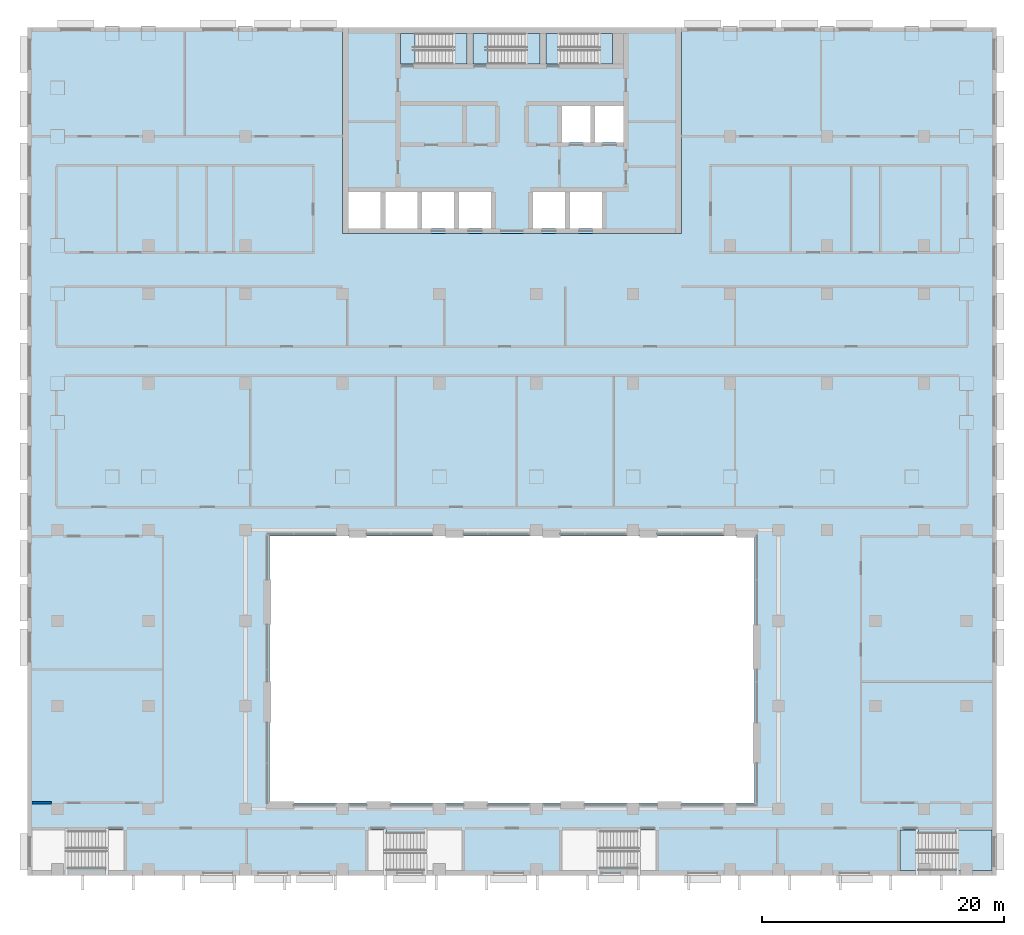
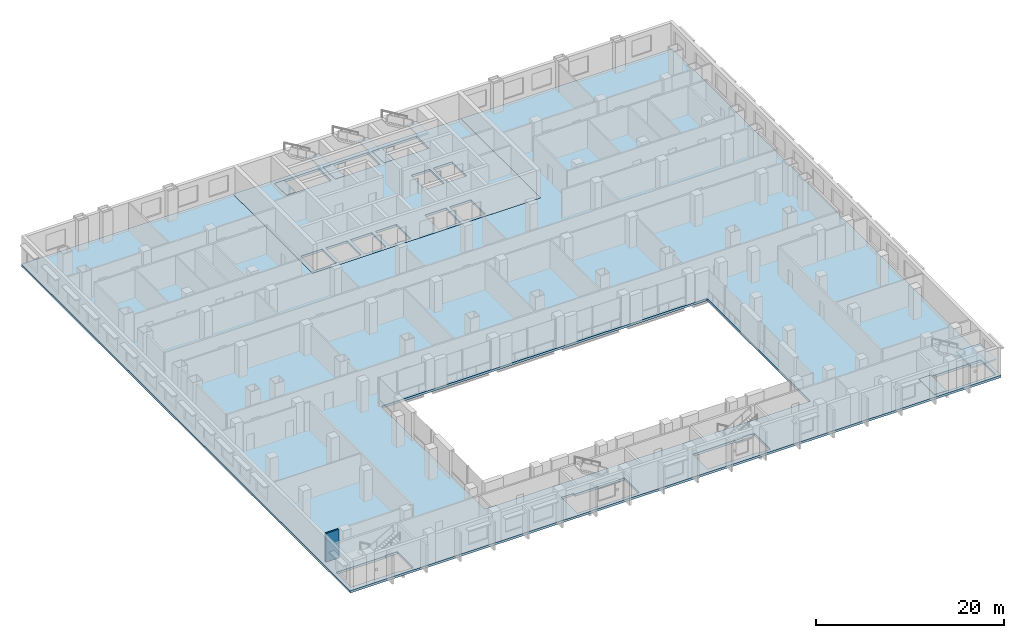
# One storey, part 7 of 25: 10 slabs, 1 wall, 4 elements without a shape of their own.
"""IFC4 building model written with IfcOpenShell, lengths in metres."""

import ifcopenshell
import ifcopenshell.guid

model = None  # the IFC model being written
_history = None  # IfcOwnerHistory: only IFC2X3 demands one
_inside = {}  # id of a spatial element -> (the spatial element, [elements in it])
_under = {}  # id of a project, library or spatial element -> (it, [spatial elements below it])
_declared = {}  # id of a project -> (the project, [libraries it declares])
_typed = {}  # id of a type object -> (the type object, [elements of that type])
_made_of = {}  # id of a material, layer set ... -> (it, [elements and type objects made of it])


def new_model(schema):
    """Start an empty IFC model of exactly this schema.

    Asked for "IFC4X3", IfcOpenShell would pick the latest addendum, in which some entities
    have other attributes; the version numbers below select the first issue.
    IFC2X3 requires an IfcOwnerHistory on every rooted entity: one is made here for all.
    """
    global model, _history
    if schema == "IFC4X3":
        model = ifcopenshell.file(schema_version=(4, 3, 0, 0))
    else:
        model = ifcopenshell.file(schema=schema)
    _inside.clear()
    _under.clear()
    _declared.clear()
    _typed.clear()
    _made_of.clear()
    _history = None
    if model.schema == "IFC2X3":
        org = make("IfcOrganization", Name="unknown")
        user = make(
            "IfcPersonAndOrganization",
            ThePerson=make("IfcPerson", FamilyName="unknown"),
            TheOrganization=org,
        )
        app = make(
            "IfcApplication",
            ApplicationDeveloper=org,
            Version="unknown",
            ApplicationFullName="unknown",
            ApplicationIdentifier="unknown",
        )
        _history = make(
            "IfcOwnerHistory",
            OwningUser=user,
            OwningApplication=app,
            ChangeAction="ADDED",
            CreationDate=0,
        )
    return model


def make(cls, **values):
    """One entity of the class cls with the attributes given. An attribute that is None is left unset."""
    return model.create_entity(
        cls, **{name: value for name, value in values.items() if value is not None}
    )


def rooted(cls, **values):
    """An entity with a GlobalId (a new one), such as an element, a storey or a relation."""
    return make(cls, GlobalId=ifcopenshell.guid.new(), OwnerHistory=_history, **values)


def si_unit(unit_type, name, prefix=None):
    """IfcSIUnit, for example si_unit("LENGTHUNIT", "METRE", prefix="MILLI")."""
    return make("IfcSIUnit", UnitType=unit_type, Prefix=prefix, Name=name)


def assignment(units):
    """IfcUnitAssignment: the units of a project."""
    return None if units is None else make("IfcUnitAssignment", Units=units)


def point(xyz):
    """IfcCartesianPoint."""
    return None if xyz is None else make("IfcCartesianPoint", Coordinates=xyz)


def direction(xyz):
    """IfcDirection."""
    return None if xyz is None else make("IfcDirection", DirectionRatios=xyz)


def frame(location, z_axis=None, x_axis=None):
    """IfcAxis2Placement3D, a coordinate frame: its origin and axes. An axis left out is left unset."""
    return make(
        "IfcAxis2Placement3D",
        Location=point(location),
        Axis=direction(z_axis),
        RefDirection=direction(x_axis),
    )


def frame_2d(location, x_axis=None):
    """IfcAxis2Placement2D, a coordinate frame in the plane: its origin and x axis."""
    return make(
        "IfcAxis2Placement2D", Location=point(location), RefDirection=direction(x_axis)
    )


def origin():
    """The frame at (0, 0, 0) with its axes left unset."""
    return frame((0.0, 0.0, 0.0))


def place(relative_to, where):
    """IfcLocalPlacement: puts the frame where relative to a parent placement (None: the world)."""
    return make(
        "IfcLocalPlacement", PlacementRelTo=relative_to, RelativePlacement=where
    )


def context(
    kind, dimensions, precision=None, world=None, true_north=None, identifier=None
):
    """IfcGeometricRepresentationContext, for example the 3D "Model" context."""
    return make(
        "IfcGeometricRepresentationContext",
        ContextIdentifier=identifier,
        ContextType=kind,
        CoordinateSpaceDimension=dimensions,
        Precision=precision,
        WorldCoordinateSystem=world,
        TrueNorth=true_north,
    )


def subcontext(parent, identifier, kind, view, scale=None):
    """IfcGeometricRepresentationSubContext, for example "Body" below "Model"."""
    return make(
        "IfcGeometricRepresentationSubContext",
        ContextIdentifier=identifier,
        ContextType=kind,
        ParentContext=parent,
        TargetScale=scale,
        TargetView=view,
    )


def project(units=None, contexts=None):
    """IfcProject with its units and contexts."""
    return rooted(
        "IfcProject",
        Name="project",
        RepresentationContexts=contexts,
        UnitsInContext=assignment(units),
    )


def spatial(cls, under=None, at=None, **own):
    """A site, building, storey or space (cls), placed at a placement, below another one or the project."""
    s = rooted(cls, ObjectPlacement=at, **own)
    if under is not None:
        _under.setdefault(under.id(), (under, []))[1].append(s)
    return s


def polyline(points):
    """IfcPolyline through the points."""
    return make("IfcPolyline", Points=[point(p) for p in points])


def profile(cls, at=None, kind="AREA", **sizes):
    """A parametric profile (cls). Its sizes go by their IFC names, for example OverallWidth=200.0."""
    return make(cls, ProfileType=kind, Position=at, **sizes)


def rectangle(**sizes):
    """IfcRectangleProfileDef."""
    return profile("IfcRectangleProfileDef", **sizes)


def outline(outer, holes=None, kind="AREA"):
    """IfcArbitraryClosedProfileDef: a profile drawn as a closed curve; with holes, ...WithVoids."""
    if holes is None:
        return make("IfcArbitraryClosedProfileDef", ProfileType=kind, OuterCurve=outer)
    return make(
        "IfcArbitraryProfileDefWithVoids",
        ProfileType=kind,
        OuterCurve=outer,
        InnerCurves=holes,
    )


def extrude(swept, where, along, depth):
    """IfcExtrudedAreaSolid: the profile swept, set in the frame where, extruded along a direction by depth."""
    return make(
        "IfcExtrudedAreaSolid",
        SweptArea=swept,
        Position=where,
        ExtrudedDirection=direction(along),
        Depth=depth,
    )


def shape(context_of_items, identifier, shape_type, items):
    """IfcShapeRepresentation: the items that make up one representation, for example the "Body"."""
    return make(
        "IfcShapeRepresentation",
        ContextOfItems=context_of_items,
        RepresentationIdentifier=identifier,
        RepresentationType=shape_type,
        Items=items,
    )


def material(Name=None, Category=None):
    """IfcMaterial."""
    return make("IfcMaterial", Name=Name, Category=Category)


def layer(
    of_material, thickness, ventilated=None, Name=None, Category=None, Priority=None
):
    """IfcMaterialLayer: one layer of a wall or slab, of a material (None: an air gap)."""
    return make(
        "IfcMaterialLayer",
        Material=of_material,
        LayerThickness=thickness,
        IsVentilated=ventilated,
        Name=Name,
        Category=Category,
        Priority=Priority,
    )


def layer_set(layers, Name=None):
    """IfcMaterialLayerSet."""
    return make("IfcMaterialLayerSet", MaterialLayers=layers, LayerSetName=Name)


def made_of(thing, what):
    """Note that an element or type object is made of a material, layer set ...; save() writes the relation."""
    if what is not None:
        _made_of.setdefault(what.id(), (what, []))[1].append(thing)
    return thing


def type_object(cls, material=None, **own):
    """A type object (cls), such as IfcWallType, which elements share."""
    return made_of(rooted(cls, **own), material)


def element(
    cls,
    number,
    at=None,
    inside=None,
    cuts=None,
    type_object=None,
    material=None,
    context=None,
    identifier="Body",
    shape_type=None,
    held_by="IfcProductDefinitionShape",
    body=None,
    shapes=None,
    **own,
):
    """One element of the class cls, such as IfcWall. Its Tag is "e" and its number.

    at: its placement. inside: the storey or other place that contains it. cuts: it is an
    opening in that element (IfcRelVoidsElement). A single representation is given by context,
    identifier, shape_type and body (its items); several are given by shapes. held_by: the class
    of the entity that holds the representations. save() writes the other relations.
    """
    e = rooted(cls, Tag="e%d" % number, ObjectPlacement=at, **own)
    if body is not None:
        shapes = [shape(context, identifier, shape_type, body)]
    if shapes is not None:
        e.Representation = make(held_by, Representations=shapes)
    if inside is not None:
        _inside.setdefault(inside.id(), (inside, []))[1].append(e)
    if cuts is not None:
        rooted(
            "IfcRelVoidsElement", RelatingBuildingElement=cuts, RelatedOpeningElement=e
        )
    if type_object is not None:
        _typed.setdefault(type_object.id(), (type_object, []))[1].append(e)
    return made_of(e, material)


def aggregate(whole, parts):
    """IfcRelAggregates: a whole, such as a stair, and the parts it consists of."""
    return rooted("IfcRelAggregates", RelatingObject=whole, RelatedObjects=parts)


def save(model, path):
    """Write the relations noted so far, then the file.

    IfcRelAggregates (storeys below a building ...), IfcRelContainedInSpatialStructure (elements
    in a storey), IfcRelDefinesByType, IfcRelAssociatesMaterial and IfcRelDeclares: one each for
    every whole, place, type object, material and project.
    """
    for whole, parts in _under.values():
        aggregate(whole, parts)
    for where, things in _inside.values():
        rooted(
            "IfcRelContainedInSpatialStructure",
            RelatedElements=things,
            RelatingStructure=where,
        )
    for kind, things in _typed.values():
        rooted("IfcRelDefinesByType", RelatedObjects=things, RelatingType=kind)
    for what, things in _made_of.values():
        rooted("IfcRelAssociatesMaterial", RelatedObjects=things, RelatingMaterial=what)
    for by, libraries in _declared.values():
        rooted("IfcRelDeclares", RelatingContext=by, RelatedDefinitions=libraries)
    model.write(path)


model = new_model("IFC4")

# Units and contexts
model_context = context("Model", 3, precision=1e-05, world=origin(), true_north=direction((0.0, 1.0)))
body_context = subcontext(model_context, "Body", "Model", "MODEL_VIEW")
ifc_project = project(units=[si_unit("LENGTHUNIT", "METRE"), si_unit("AREAUNIT", "SQUARE_METRE"), si_unit("VOLUMEUNIT", "CUBIC_METRE"), si_unit("PLANEANGLEUNIT", "RADIAN"), si_unit("MASSUNIT", "GRAM", prefix="KILO")], contexts=[model_context])

# Site, building, storey
site_placement = place(None, origin())
site = spatial("IfcSite", under=ifc_project, at=site_placement, CompositionType="ELEMENT")
building_placement = place(site_placement, origin())
building = spatial("IfcBuilding", under=site, at=building_placement, Name="Vidyagriha Tower", CompositionType="ELEMENT")
storey_placement = place(building_placement, frame((0.0, 0.0, 10.0)))
storey = spatial("IfcBuildingStorey", under=building, at=storey_placement, Name="L02", CompositionType="ELEMENT", Elevation=10.0)

# Slabs
ifc_material_1 = material(Name="Concrete C60/75", Category="concrete")
ifc_layer_1 = layer(ifc_material_1, 0.300048828125)
ifc_layer_set_1 = layer_set([ifc_layer_1], Name="Concrete C60/75")
slab_type_1 = type_object("IfcSlabType", Name="Core floor slab 300 mm", PredefinedType="FLOOR", material=ifc_layer_set_1)
slab_1_placement = place(storey_placement, frame((0.0, 0.0, -0.300048828125)))
element("IfcSlab", 1, at=slab_1_placement, inside=storey, type_object=slab_type_1, Name="L02 core floor 1", PredefinedType="FLOOR", context=body_context, shape_type="SweptSolid", body=[
    extrude(outline(polyline([(-14.0, 3.0), (-14.0, 20.0), (14.0, 20.0), (14.0, 3.0), (-14.0, 3.0)]), holes=[polyline([(9.199951171875, 13.5), (6.86669921875, 13.5), (6.86669921875, 10.5), (9.199951171875, 10.5), (9.199951171875, 13.5)]), polyline([(4.0, 19.5), (2.800048828125, 19.5), (2.800048828125, 16.949951171875), (4.0, 16.949951171875), (8.300048828125, 16.949951171875), (8.300048828125, 19.5), (4.0, 19.5)]), polyline([(7.4111328125, 6.39990234375), (4.7666015625, 6.39990234375), (4.7666015625, 3.39990234375), (7.4111328125, 3.39990234375), (7.4111328125, 6.39990234375)]), polyline([(6.466796875, 13.5), (4.13330078125, 13.5), (4.13330078125, 10.5), (6.466796875, 10.5), (6.466796875, 13.5)]), polyline([(1.72216796875, 6.39990234375), (1.72216796875, 3.39990234375), (4.36669921875, 3.39990234375), (4.36669921875, 6.39990234375), (1.72216796875, 6.39990234375)]), polyline([(-2.0, 16.949951171875), (2.300048828125, 16.949951171875), (2.300048828125, 19.5), (-2.0, 19.5), (-3.199951171875, 19.5), (-3.199951171875, 16.949951171875), (-2.0, 16.949951171875)]), polyline([(-1.72216796875, 6.39990234375), (-4.36669921875, 6.39990234375), (-4.36669921875, 3.39990234375), (-1.72216796875, 3.39990234375), (-1.72216796875, 6.39990234375)]), polyline([(-8.0, 19.5), (-9.199951171875, 19.5), (-9.199951171875, 16.949951171875), (-8.0, 16.949951171875), (-3.699951171875, 16.949951171875), (-3.699951171875, 19.5), (-8.0, 19.5)]), polyline([(-4.7666015625, 6.39990234375), (-7.4111328125, 6.39990234375), (-7.4111328125, 3.39990234375), (-4.7666015625, 3.39990234375), (-4.7666015625, 6.39990234375)]), polyline([(-7.81103515625, 6.39990234375), (-10.45556640625, 6.39990234375), (-10.45556640625, 3.39990234375), (-7.81103515625, 3.39990234375), (-7.81103515625, 6.39990234375)]), polyline([(-13.5, 6.39990234375), (-13.5, 3.39990234375), (-10.855712890625, 3.39990234375), (-10.855712890625, 6.39990234375), (-13.5, 6.39990234375)])]), origin(), (0.0, 0.0, 1.0), 0.300048828125),
])
ifc_material_2 = material(Name="Concrete C40/50", Category="concrete")
ifc_layer_2 = layer(ifc_material_2, 0.300048828125)
ifc_layer_set_2 = layer_set([ifc_layer_2], Name="Concrete C40/50")
slab_type_2 = type_object("IfcSlabType", Name="Exit stair floor landing 300 mm", PredefinedType="LANDING", material=ifc_layer_set_2)
slab_2_placement = place(storey_placement, frame((0.0, 0.0, -0.300048828125)))
element("IfcSlab", 2, at=slab_2_placement, inside=storey, type_object=slab_type_2, Name="ST1 floor landing L02", PredefinedType="LANDING", context=body_context, shape_type="SweptSolid", body=[
    extrude(outline(polyline([(-9.199951171875, 16.949951171875), (-8.0, 16.949951171875), (-8.0, 19.5), (-9.199951171875, 19.5), (-9.199951171875, 16.949951171875)])), origin(), (0.0, 0.0, 1.0), 0.300048828125),
])
slab_3_placement = place(storey_placement, frame((0.0, 0.0, -0.300048828125)))
element("IfcSlab", 3, at=slab_3_placement, inside=storey, type_object=slab_type_2, Name="ST2 floor landing L02", PredefinedType="LANDING", context=body_context, shape_type="SweptSolid", body=[
    extrude(outline(polyline([(-3.199951171875, 16.949951171875), (-2.0, 16.949951171875), (-2.0, 19.5), (-3.199951171875, 19.5), (-3.199951171875, 16.949951171875)])), origin(), (0.0, 0.0, 1.0), 0.300048828125),
])
slab_4_placement = place(storey_placement, frame((0.0, 0.0, -0.300048828125)))
element("IfcSlab", 4, at=slab_4_placement, inside=storey, type_object=slab_type_2, Name="ST3 floor landing L02", PredefinedType="LANDING", context=body_context, shape_type="SweptSolid", body=[
    extrude(outline(polyline([(2.800048828125, 16.949951171875), (4.0, 16.949951171875), (4.0, 19.5), (2.800048828125, 19.5), (2.800048828125, 16.949951171875)])), origin(), (0.0, 0.0, 1.0), 0.300048828125),
])

# Stair, slab
ifc_material_3 = material(Name="Concrete C40/50", Category="concrete")
stair_type_1 = type_object("IfcStairType", Name="Exit stair, half-turn, precast flights", PredefinedType="HALF_TURN_STAIR", material=ifc_material_3)
stair_1_placement = place(storey_placement, origin())
stair_1 = element("IfcStair", 5, at=stair_1_placement, inside=storey, type_object=stair_type_1, Name="L02 Exit Stair ST1", PredefinedType="HALF_TURN_STAIR")
ifc_material_4 = material(Name="Concrete C40/50", Category="concrete")
ifc_layer_3 = layer(ifc_material_4, 0.199951171875)
ifc_layer_set_3 = layer_set([ifc_layer_3], Name="Concrete C40/50")
slab_type_3 = type_object("IfcSlabType", Name="Exit stair landing 200 mm", PredefinedType="LANDING", material=ifc_layer_set_3)
slab_5_placement = place(storey_placement, frame((0.0, 0.0, 1.800048828125)))
slab_5 = element("IfcSlab", 6, at=slab_5_placement, type_object=slab_type_3, Name="ST1 landing 1", PredefinedType="LANDING", context=body_context, shape_type="SweptSolid", body=[
    extrude(outline(polyline([(-4.919921875, 16.949951171875), (-3.699951171875, 16.949951171875), (-3.699951171875, 19.5), (-4.919921875, 19.5), (-4.919921875, 16.949951171875)])), origin(), (0.0, 0.0, 1.0), 0.199951171875),
])
aggregate(stair_1, [slab_5])

stair_2_placement = place(storey_placement, origin())
stair_2 = element("IfcStair", 7, at=stair_2_placement, inside=storey, type_object=stair_type_1, Name="L02 Exit Stair ST2", PredefinedType="HALF_TURN_STAIR")
slab_6_placement = place(storey_placement, frame((0.0, 0.0, 1.800048828125)))
slab_6 = element("IfcSlab", 8, at=slab_6_placement, type_object=slab_type_3, Name="ST2 landing 1", PredefinedType="LANDING", context=body_context, shape_type="SweptSolid", body=[
    extrude(outline(polyline([(1.080078125, 16.949951171875), (2.300048828125, 16.949951171875), (2.300048828125, 19.5), (1.080078125, 19.5), (1.080078125, 16.949951171875)])), origin(), (0.0, 0.0, 1.0), 0.199951171875),
])
aggregate(stair_2, [slab_6])

stair_3_placement = place(storey_placement, origin())
stair_3 = element("IfcStair", 9, at=stair_3_placement, inside=storey, type_object=stair_type_1, Name="L02 Exit Stair ST3", PredefinedType="HALF_TURN_STAIR")
slab_7_placement = place(storey_placement, frame((0.0, 0.0, 1.800048828125)))
slab_7 = element("IfcSlab", 10, at=slab_7_placement, type_object=slab_type_3, Name="ST3 landing 1", PredefinedType="LANDING", context=body_context, shape_type="SweptSolid", body=[
    extrude(outline(polyline([(7.080078125, 16.949951171875), (8.300048828125, 16.949951171875), (8.300048828125, 19.5), (7.080078125, 19.5), (7.080078125, 16.949951171875)])), origin(), (0.0, 0.0, 1.0), 0.199951171875),
])
aggregate(stair_3, [slab_7])

ifc_material_5 = material(Name="Concrete C32/40", Category="concrete")
stair_type_2 = type_object("IfcStairType", Name="Podium Exit Stair 1500", PredefinedType="HALF_TURN_STAIR", material=ifc_material_5)
stair_4_placement = place(storey_placement, origin())
stair_4 = element("IfcStair", 11, at=stair_4_placement, inside=storey, type_object=stair_type_2, Name="L02 Exit Stair PS2", PredefinedType="HALF_TURN_STAIR")
ifc_material_6 = material(Name="Concrete C32/40", Category="concrete")
ifc_layer_4 = layer(ifc_material_6, 0.199951171875)
ifc_layer_set_4 = layer_set([ifc_layer_4], Name="Concrete C32/40")
slab_type_4 = type_object("IfcSlabType", Name="Podium Stair Landing 200", PredefinedType="LANDING", material=ifc_layer_set_4)
slab_8_placement = place(storey_placement, frame((0.0, 0.0, 1.800048828125)))
slab_8 = element("IfcSlab", 12, at=slab_8_placement, type_object=slab_type_4, Name="PS2 landing 1", PredefinedType="LANDING", context=body_context, shape_type="SweptSolid", body=[
    extrude(outline(polyline([(36.625, -49.60009765625), (39.60009765625, -49.60009765625), (39.60009765625, -46.22509765625), (36.625, -46.22509765625), (36.625, -49.60009765625)])), origin(), (0.0, 0.0, 1.0), 0.199951171875),
])
aggregate(stair_4, [slab_8])

# Slabs
ifc_material_7 = material(Name="Concrete C32/40", Category="concrete")
ifc_layer_5 = layer(ifc_material_7, 0.300048828125)
ifc_layer_set_5 = layer_set([ifc_layer_5], Name="Concrete C32/40")
slab_type_5 = type_object("IfcSlabType", Name="Podium stair floor landing 300 mm", PredefinedType="LANDING", material=ifc_layer_set_5)
slab_9_placement = place(storey_placement, frame((0.0, 0.0, -0.300048828125)))
element("IfcSlab", 13, at=slab_9_placement, inside=storey, type_object=slab_type_5, Name="PS2 floor landing L02", PredefinedType="LANDING", context=body_context, shape_type="SweptSolid", body=[
    extrude(outline(polyline([(32.02490234375, -49.60009765625), (33.544921875, -49.60009765625), (33.544921875, -46.22509765625), (32.02490234375, -46.22509765625), (32.02490234375, -49.60009765625)])), origin(), (0.0, 0.0, 1.0), 0.300048828125),
])
ifc_material_8 = material(Name="Concrete C50/60", Category="concrete")
ifc_layer_6 = layer(ifc_material_8, 0.300048828125)
ifc_layer_set_6 = layer_set([ifc_layer_6], Name="Concrete C50/60")
slab_type_6 = type_object("IfcSlabType", Name="Post-tensioned flat plate 300", PredefinedType="FLOOR", material=ifc_layer_set_6)
slab_10_placement = place(storey_placement, frame((0.0, 0.0, -0.300048828125)))
element("IfcSlab", 14, at=slab_10_placement, inside=storey, type_object=slab_type_6, Name="st-slab-L02-1", PredefinedType="FLOOR", context=body_context, shape_type="SweptSolid", body=[
    extrude(outline(polyline([(-40.0, 20.0), (-14.0, 20.0), (-14.0, 3.0), (14.0, 3.0), (14.0, 20.0), (40.0, 20.0), (40.0, -50.0), (-40.0, -50.0), (-40.0, 20.0)]), holes=[polyline([(-20.0, -22.0), (-20.0, -44.0), (20.0, -44.0), (20.0, -22.0), (-20.0, -22.0)]), polyline([(-33.544921875, -46.22509765625), (-33.544921875, -46.300048828125), (-39.574951171875, -46.300048828125), (-39.574951171875, -49.449951171875), (-33.544921875, -49.449951171875), (-33.544921875, -49.60009765625), (-32.02490234375, -49.60009765625), (-32.02490234375, -46.22509765625), (-33.544921875, -46.22509765625)]), polyline([(39.574951171875, -49.60009765625), (39.574951171875, -46.449951171875), (33.544921875, -46.449951171875), (33.544921875, -46.22509765625), (32.02490234375, -46.22509765625), (32.02490234375, -49.60009765625), (33.544921875, -49.60009765625), (39.574951171875, -49.60009765625)]), polyline([(-11.875, -49.60009765625), (-10.35498046875, -49.60009765625), (-4.2548828125, -49.60009765625), (-4.2548828125, -46.449951171875), (-10.35498046875, -46.449951171875), (-10.35498046875, -46.22509765625), (-11.875, -46.22509765625), (-11.875, -49.60009765625)]), polyline([(4.2548828125, -46.300048828125), (4.2548828125, -49.449951171875), (10.35498046875, -49.449951171875), (10.35498046875, -49.60009765625), (11.875, -49.60009765625), (11.875, -46.22509765625), (10.35498046875, -46.22509765625), (10.35498046875, -46.300048828125), (4.2548828125, -46.300048828125)])]), origin(), (0.0, 0.0, 1.0), 0.300048828125),
])

# Wall
ifc_material_9 = material(Name="Fire rated gypsum board on light gauge framing")
ifc_layer_7 = layer(ifc_material_9, 0.199951171875)
ifc_layer_set_7 = layer_set([ifc_layer_7], Name="Fire rated gypsum board on light gauge framing")
wall_type = type_object("IfcWallType", Name="Fire Rated Corridor Wall 200", PredefinedType="PARTITIONING", material=ifc_layer_set_7)
wall_placement = place(storey_placement, frame((-39.60009765625, -44.0, 0.0)))
element("IfcWall", 15, at=wall_placement, inside=storey, type_object=wall_type, Name="L02 Fire Rated Corridor Wall 200 007", PredefinedType="PARTITIONING", context=body_context, shape_type="SweptSolid", body=[
    extrude(rectangle(XDim=1.60009765625, YDim=0.199951171875, at=frame_2d((0.800048828125, 0.0))), origin(), (0.0, 0.0, 1.0), 3.699951171875),
])

save(model, "model.ifc")
